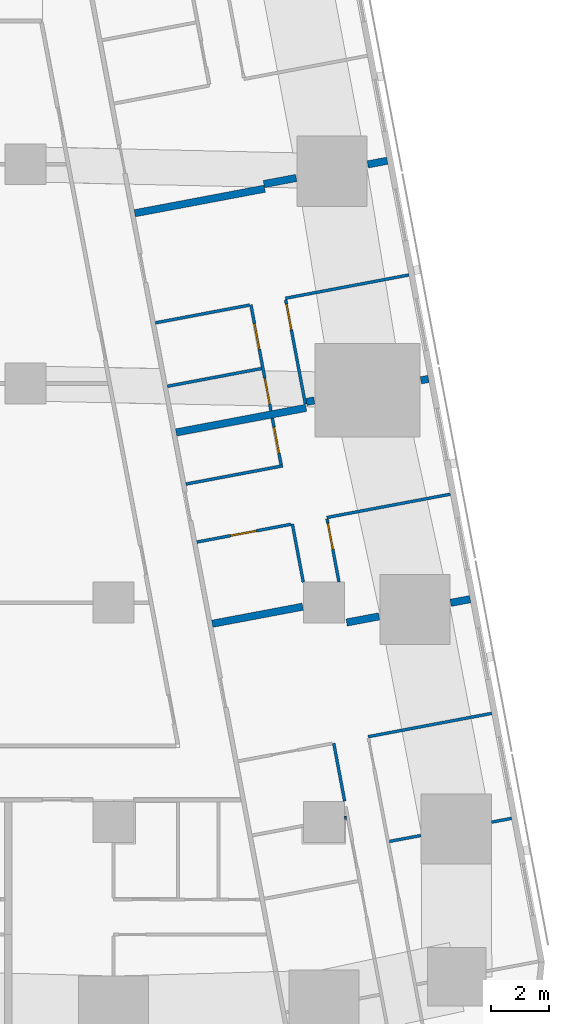
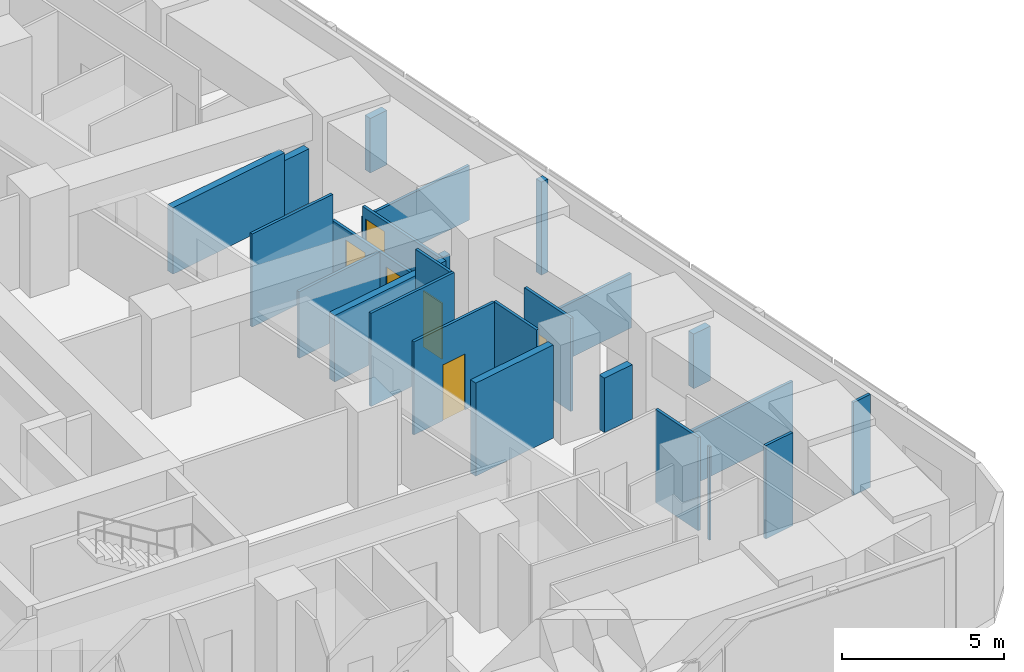
# One storey, part 14 of 19: 25 walls, 6 doors, 6 openings.
"""IFC4 building model written with IfcOpenShell, lengths in metres."""

from ifc_helpers import new_model, si_unit, direction, frame, frame_2d, origin, place, context, subcontext, project, spatial, rectangle, extrude, material, layer, layer_set, type_object, element, fill, save


model = new_model("IFC4")

# Units and contexts
model_context = context("Model", 3, precision=1e-05, world=origin(), true_north=direction((0.0, 1.0)))
body_context = subcontext(model_context, "Body", "Model", "MODEL_VIEW")
ifc_project = project(units=[si_unit("LENGTHUNIT", "METRE"), si_unit("AREAUNIT", "SQUARE_METRE"), si_unit("VOLUMEUNIT", "CUBIC_METRE"), si_unit("PLANEANGLEUNIT", "RADIAN"), si_unit("MASSUNIT", "GRAM", prefix="KILO")], contexts=[model_context])

# Site, building, storey
site_placement = place(None, origin())
site = spatial("IfcSite", under=ifc_project, at=site_placement, CompositionType="ELEMENT")
building_placement = place(site_placement, origin())
building = spatial("IfcBuilding", under=site, at=building_placement, Name="Sheger Commons Tower", CompositionType="ELEMENT")
storey_placement = place(building_placement, frame((0.0, 0.0, 219.949951171875)))
storey = spatial("IfcBuildingStorey", under=building, at=storey_placement, Name="L56", CompositionType="ELEMENT", Elevation=219.949951171875)

# Walls
ifc_material_1 = material(Name="Dense concrete block masonry, plastered both sides (separating wall between flats)", Category="masonry")
ifc_layer_1 = layer(ifc_material_1, 0.25)
ifc_layer_set_1 = layer_set([ifc_layer_1], Name="DEMISING WALL 250")
wall_type_1 = type_object("IfcWallType", Name="DEMISING WALL 250", PredefinedType="SOLIDWALL", material=ifc_layer_set_1)
wall_1_placement = place(storey_placement, frame((45.3720703125, 30.12109375, 0.0), z_axis=(0.0, 0.0, 1.0), x_axis=(-0.982347993061, -0.187062611252, 0.0)))
element("IfcWall", 1, at=wall_1_placement, inside=storey, type_object=wall_type_1, Name="Demising wall L56", PredefinedType="SOLIDWALL", context=body_context, shape_type="SweptSolid", body=[
    extrude(rectangle(XDim=0.679931640625, YDim=0.25, at=frame_2d((0.33984375, 0.0))), origin(), (0.0, 0.0, 1.0), 2.050048828125),
])
wall_2_placement = place(storey_placement, frame((42.256103515625, 29.531982421875, 0.0), z_axis=(0.0, 0.0, 1.0), x_axis=(-0.982549954272, -0.185998890749, 0.0)))
element("IfcWall", 2, at=wall_2_placement, inside=storey, type_object=wall_type_1, Name="Demising wall L56", PredefinedType="SOLIDWALL", context=body_context, shape_type="SweptSolid", body=[
    extrude(rectangle(XDim=1.12890625, YDim=0.25, at=frame_2d((0.564453125, 0.0))), origin(), (0.0, 0.0, 1.0), 2.050048828125),
])
wall_3_placement = place(storey_placement, frame((41.177001953125, 29.1640625, 0.0), z_axis=(0.0, 0.0, 1.0), x_axis=(-0.982612837616, -0.185666398014, 0.0)))
element("IfcWall", 3, at=wall_3_placement, inside=storey, type_object=wall_type_1, Name="Demising wall L56", PredefinedType="SOLIDWALL", context=body_context, shape_type="SweptSolid", body=[
    extrude(rectangle(XDim=4.524658203125, YDim=0.25, at=frame_2d((2.26220703125, 0.0))), origin(), (0.0, 0.0, 1.0), 2.5),
])
wall_4_placement = place(storey_placement, frame((46.781982421875, 22.656982421875, 0.0), z_axis=(0.0, 0.0, 1.0), x_axis=(-0.982778390997, -0.18478807913, 0.0)))
element("IfcWall", 4, at=wall_4_placement, inside=storey, type_object=wall_type_1, Name="Demising wall L56", PredefinedType="SOLIDWALL", context=body_context, shape_type="SweptSolid", body=[
    extrude(rectangle(XDim=0.265625, YDim=0.25, at=frame_2d((0.1328125, 0.0))), origin(), (0.0, 0.0, 1.0), 3.5),
])
wall_5_placement = place(storey_placement, frame((42.873046875, 21.91796875, 0.0), z_axis=(0.0, 0.0, 1.0), x_axis=(-0.982892522967, -0.184180043152, 0.0)))
element("IfcWall", 5, at=wall_5_placement, inside=storey, type_object=wall_type_1, Name="Demising wall L56", PredefinedType="SOLIDWALL", context=body_context, shape_type="SweptSolid", body=[
    extrude(rectangle(XDim=0.271728515625, YDim=0.25, at=frame_2d((0.1357421875, 0.0))), origin(), (0.0, 0.0, 1.0), 2.5),
])
wall_6_placement = place(storey_placement, frame((42.593017578125, 21.6650390625, 0.0), z_axis=(0.0, 0.0, 1.0), x_axis=(-0.982612837616, -0.185666398014, 0.0)))
element("IfcWall", 6, at=wall_6_placement, inside=storey, type_object=wall_type_1, Name="Demising wall L56", PredefinedType="SOLIDWALL", context=body_context, shape_type="SweptSolid", body=[
    extrude(rectangle(XDim=4.524658203125, YDim=0.25, at=frame_2d((2.26220703125, 0.0))), origin(), (0.0, 0.0, 1.0), 2.5),
])
wall_7_placement = place(storey_placement, frame((48.2060546875, 15.1201171875, 0.0), z_axis=(0.0, 0.0, 1.0), x_axis=(-0.982610999048, -0.18567612811, 0.0)))
element("IfcWall", 7, at=wall_7_placement, inside=storey, type_object=wall_type_1, Name="Demising wall L56", PredefinedType="SOLIDWALL", context=body_context, shape_type="SweptSolid", body=[
    extrude(rectangle(XDim=0.6796875, YDim=0.25, at=frame_2d((0.33984375, 0.0))), origin(), (0.0, 0.0, 1.0), 2.050048828125),
])
wall_8_placement = place(storey_placement, frame((45.090087890625, 14.531005859375, 0.0), z_axis=(0.0, 0.0, 1.0), x_axis=(-0.982737354171, -0.185006196431, 0.0)))
element("IfcWall", 8, at=wall_8_placement, inside=storey, type_object=wall_type_1, Name="Demising wall L56", PredefinedType="SOLIDWALL", context=body_context, shape_type="SweptSolid", body=[
    extrude(rectangle(XDim=1.129638671875, YDim=0.25, at=frame_2d((0.56494140625, 0.0))), origin(), (0.0, 0.0, 1.0), 2.050048828125),
])
wall_9_placement = place(storey_placement, frame((42.47607421875, 14.863037109375, 0.0), z_axis=(0.0, 0.0, 1.0), x_axis=(-0.982638716117, -0.185529387398, 0.0)))
element("IfcWall", 9, at=wall_9_placement, inside=storey, type_object=wall_type_1, Name="Demising wall L56", PredefinedType="SOLIDWALL", context=body_context, shape_type="SweptSolid", body=[
    extrude(rectangle(XDim=3.147705078125, YDim=0.25, at=frame_2d((1.57373046875, 0.0))), origin(), (0.0, 0.0, 1.0), 3.5),
])

# Wall, opening, door
ifc_material_2 = material(Name="Gypsum board on steel studs", Category="steel")
ifc_layer_2 = layer(ifc_material_2, 0.10009765625)
ifc_layer_set_2 = layer_set([ifc_layer_2], Name="PARTITION 100")
wall_type_2 = type_object("IfcWallType", Name="PARTITION 100", PredefinedType="PARTITIONING", material=ifc_layer_set_2)
wall_10_placement = place(storey_placement, frame((41.89404296875, 25.365966796875, 0.0), z_axis=(0.0, 0.0, 1.0), x_axis=(0.185695396387, -0.98260735788, 0.0)))
wall_10 = element("IfcWall", 10, at=wall_10_placement, inside=storey, type_object=wall_type_2, Name="Partition L56", PredefinedType="PARTITIONING", context=body_context, shape_type="SweptSolid", body=[
    extrude(rectangle(XDim=3.63525390625, YDim=0.10009765625, at=frame_2d((1.817626953125, 0.0))), origin(), (0.0, 0.0, 1.0), 2.5),
])
opening_1_placement = place(wall_10_placement, frame((0.15087890625, 0.0, 0.0)))
opening_1 = element("IfcOpeningElement", 11, at=opening_1_placement, cuts=wall_10, Name="Opening D2", PredefinedType="OPENING", context=body_context, shape_type="SweptSolid", body=[
    extrude(rectangle(XDim=0.89990234375, YDim=2.10009765625, at=frame_2d((0.449951171875, 1.050048828125))), frame((0.0, 0.06005859375, 0.0), z_axis=(0.0, -1.0, 0.0), x_axis=(1.0, 0.0, 0.0)), (0.0, 0.0, 1.0), 0.1201171875),
])
ifc_material_3 = material(Name="Timber door set", Category="wood")
door_type = type_object("IfcDoorType", Name="INTERNAL DOOR 900x2100", OperationType="NOTDEFINED", PredefinedType="DOOR", material=ifc_material_3)
door_1_placement = place(opening_1_placement, origin())
door_1 = element("IfcDoor", 12, at=door_1_placement, inside=storey, type_object=door_type, Name="Main bedroom door", OperationType="SINGLE_SWING_LEFT", OverallHeight=2.10009765625, OverallWidth=0.89990234375, PredefinedType="DOOR", context=body_context, shape_type="SweptSolid", body=[
    extrude(rectangle(XDim=0.89990234375, YDim=2.10009765625, at=frame_2d((0.449951171875, 1.050048828125))), frame((0.0, 0.02490234375, 0.0), z_axis=(0.0, -1.0, 0.0), x_axis=(1.0, 0.0, 0.0)), (0.0, 0.0, 1.0), 0.050048828125),
])
fill(opening_1, door_1)

# Wall, openings, doors
wall_11_placement = place(storey_placement, frame((40.7060546875, 25.19189453125, 0.0), z_axis=(0.0, 0.0, 1.0), x_axis=(0.185580474845, -0.982629069057, 0.0)))
wall_11 = element("IfcWall", 13, at=wall_11_placement, inside=storey, type_object=wall_type_2, Name="Partition L56", PredefinedType="PARTITIONING", context=body_context, shape_type="SweptSolid", body=[
    extrude(rectangle(XDim=3.684814453125, YDim=0.10009765625, at=frame_2d((1.84228515625, 0.0))), origin(), (0.0, 0.0, 1.0), 2.5),
])
opening_2_placement = place(wall_11_placement, frame((0.655029296875, 0.0, 0.0)))
opening_2 = element("IfcOpeningElement", 14, at=opening_2_placement, cuts=wall_11, Name="Opening D2", PredefinedType="OPENING", context=body_context, shape_type="SweptSolid", body=[
    extrude(rectangle(XDim=0.89990234375, YDim=2.10009765625, at=frame_2d((0.449951171875, 1.050048828125))), frame((0.0, 0.06005859375, 0.0), z_axis=(0.0, -1.0, 0.0), x_axis=(1.0, 0.0, 0.0)), (0.0, 0.0, 1.0), 0.1201171875),
])
opening_3_placement = place(wall_11_placement, frame((2.56298828125, 0.0, 0.0)))
opening_3 = element("IfcOpeningElement", 15, at=opening_3_placement, cuts=wall_11, Name="Opening D2", PredefinedType="OPENING", context=body_context, shape_type="SweptSolid", body=[
    extrude(rectangle(XDim=0.89990234375, YDim=2.10009765625, at=frame_2d((0.449951171875, 1.050048828125))), frame((0.0, 0.06005859375, 0.0), z_axis=(0.0, -1.0, 0.0), x_axis=(1.0, 0.0, 0.0)), (0.0, 0.0, 1.0), 0.1201171875),
])
door_2_placement = place(opening_2_placement, origin())
door_2 = element("IfcDoor", 16, at=door_2_placement, inside=storey, type_object=door_type, Name="Bathroom door", OperationType="SINGLE_SWING_RIGHT", OverallHeight=2.10009765625, OverallWidth=0.89990234375, PredefinedType="DOOR", context=body_context, shape_type="SweptSolid", body=[
    extrude(rectangle(XDim=0.89990234375, YDim=2.10009765625, at=frame_2d((0.449951171875, 1.050048828125))), frame((0.0, 0.02490234375, 0.0), z_axis=(0.0, -1.0, 0.0), x_axis=(1.0, 0.0, 0.0)), (0.0, 0.0, 1.0), 0.050048828125),
])
fill(opening_2, door_2)
door_3_placement = place(opening_3_placement, origin())
door_3 = element("IfcDoor", 17, at=door_3_placement, inside=storey, type_object=door_type, Name="Store door", OperationType="SINGLE_SWING_LEFT", OverallHeight=2.10009765625, OverallWidth=0.89990234375, PredefinedType="DOOR", context=body_context, shape_type="SweptSolid", body=[
    extrude(rectangle(XDim=0.89990234375, YDim=2.10009765625, at=frame_2d((0.449951171875, 1.050048828125))), frame((0.0, 0.02490234375, 0.0), z_axis=(0.0, -1.0, 0.0), x_axis=(1.0, 0.0, 0.0)), (0.0, 0.0, 1.0), 0.050048828125),
])
fill(opening_3, door_3)

# Walls
wall_12_placement = place(storey_placement, frame((46.110107421875, 26.212890625, 0.0), z_axis=(0.0, 0.0, 1.0), x_axis=(-0.982633535512, -0.185556823879, 0.0)))
element("IfcWall", 18, at=wall_12_placement, inside=storey, type_object=wall_type_2, Name="Partition L56", PredefinedType="PARTITIONING", context=body_context, shape_type="SweptSolid", body=[
    extrude(rectangle(XDim=4.2998046875, YDim=0.10009765625, at=frame_2d((2.14990234375, 0.0))), origin(), (0.0, 0.0, 1.0), 2.050048828125),
])
wall_13_placement = place(storey_placement, frame((40.656982421875, 25.18310546875, 0.0), z_axis=(0.0, 0.0, 1.0), x_axis=(-0.982607026909, -0.185697147715, 0.0)))
element("IfcWall", 19, at=wall_13_placement, inside=storey, type_object=wall_type_2, Name="Partition L56", PredefinedType="PARTITIONING", context=body_context, shape_type="SweptSolid", body=[
    extrude(rectangle(XDim=3.27490234375, YDim=0.10009765625, at=frame_2d((1.637451171875, 0.0))), origin(), (0.0, 0.0, 1.0), 3.5),
])
wall_14_placement = place(storey_placement, frame((41.06689453125, 23.010986328125, 0.0), z_axis=(0.0, 0.0, 1.0), x_axis=(-0.982618057925, -0.185638768151, 0.0)))
element("IfcWall", 20, at=wall_14_placement, inside=storey, type_object=wall_type_2, Name="Partition L56", PredefinedType="PARTITIONING", context=body_context, shape_type="SweptSolid", body=[
    extrude(rectangle(XDim=3.274658203125, YDim=0.10009765625, at=frame_2d((1.63720703125, 0.0))), origin(), (0.0, 0.0, 1.0), 2.5),
])

# Wall, opening, door
wall_15_placement = place(storey_placement, frame((41.43701171875, 21.319091796875, 0.0), z_axis=(0.0, 0.0, 1.0), x_axis=(0.185793689589, -0.982588777113, 0.0)))
wall_15 = element("IfcWall", 21, at=wall_15_placement, inside=storey, type_object=wall_type_2, Name="Partition L56", PredefinedType="PARTITIONING", context=body_context, shape_type="SweptSolid", body=[
    extrude(rectangle(XDim=1.62548828125, YDim=0.10009765625, at=frame_2d((0.812744140625, 0.0))), origin(), (0.0, 0.0, 1.0), 3.5),
])
opening_4_placement = place(wall_15_placement, frame((0.324951171875, 0.0, 0.0)))
opening_4 = element("IfcOpeningElement", 22, at=opening_4_placement, cuts=wall_15, Name="Opening D2", PredefinedType="OPENING", context=body_context, shape_type="SweptSolid", body=[
    extrude(rectangle(XDim=0.89990234375, YDim=2.10009765625, at=frame_2d((0.449951171875, 1.050048828125))), frame((0.0, 0.06005859375, 0.0), z_axis=(0.0, -1.0, 0.0), x_axis=(1.0, 0.0, 0.0)), (0.0, 0.0, 1.0), 0.1201171875),
])
door_4_placement = place(opening_4_placement, origin())
door_4 = element("IfcDoor", 23, at=door_4_placement, inside=storey, type_object=door_type, Name="Shower room door", OperationType="SINGLE_SWING_RIGHT", OverallHeight=2.10009765625, OverallWidth=0.89990234375, PredefinedType="DOOR", context=body_context, shape_type="SweptSolid", body=[
    extrude(rectangle(XDim=0.89990234375, YDim=2.10009765625, at=frame_2d((0.449951171875, 1.050048828125))), frame((0.0, 0.02490234375, 0.0), z_axis=(0.0, -1.0, 0.0), x_axis=(1.0, 0.0, 0.0)), (0.0, 0.0, 1.0), 0.050048828125),
])
fill(opening_4, door_4)

# Wall
wall_16_placement = place(storey_placement, frame((41.798095703125, 19.681884765625, 0.0), z_axis=(0.0, 0.0, 1.0), x_axis=(-0.982656183703, -0.185436848091, 0.0)))
element("IfcWall", 24, at=wall_16_placement, inside=storey, type_object=wall_type_2, Name="Partition L56", PredefinedType="PARTITIONING", context=body_context, shape_type="SweptSolid", body=[
    extrude(rectangle(XDim=3.375732421875, YDim=0.10009765625, at=frame_2d((1.68798828125, 0.0))), origin(), (0.0, 0.0, 1.0), 3.5),
])

# Wall, opening, door
wall_17_placement = place(storey_placement, frame((43.31103515625, 17.864990234375, 0.0), z_axis=(0.0, 0.0, 1.0), x_axis=(0.185572140257, -0.982630643101, 0.0)))
wall_17 = element("IfcWall", 25, at=wall_17_placement, inside=storey, type_object=wall_type_2, Name="Partition L56", PredefinedType="PARTITIONING", context=body_context, shape_type="SweptSolid", body=[
    extrude(rectangle(XDim=2.193115234375, YDim=0.10009765625, at=frame_2d((1.0966796875, 0.0))), origin(), (0.0, 0.0, 1.0), 3.5),
])
opening_5_placement = place(wall_17_placement, frame((0.14990234375, 0.0, 0.0)))
opening_5 = element("IfcOpeningElement", 26, at=opening_5_placement, cuts=wall_17, Name="Opening D2", PredefinedType="OPENING", context=body_context, shape_type="SweptSolid", body=[
    extrude(rectangle(XDim=0.89990234375, YDim=2.10009765625, at=frame_2d((0.449951171875, 1.050048828125))), frame((0.0, 0.06005859375, 0.0), z_axis=(0.0, -1.0, 0.0), x_axis=(1.0, 0.0, 0.0)), (0.0, 0.0, 1.0), 0.1201171875),
])
door_5_placement = place(opening_5_placement, origin())
door_5 = element("IfcDoor", 27, at=door_5_placement, inside=storey, type_object=door_type, Name="Main bedroom door", OperationType="SINGLE_SWING_LEFT", OverallHeight=2.10009765625, OverallWidth=0.89990234375, PredefinedType="DOOR", context=body_context, shape_type="SweptSolid", body=[
    extrude(rectangle(XDim=0.89990234375, YDim=2.10009765625, at=frame_2d((0.449951171875, 1.050048828125))), frame((0.0, 0.02490234375, 0.0), z_axis=(0.0, -1.0, 0.0), x_axis=(1.0, 0.0, 0.0)), (0.0, 0.0, 1.0), 0.050048828125),
])
fill(opening_5, door_5)

# Walls
wall_18_placement = place(storey_placement, frame((42.123046875, 17.69091796875, 0.0), z_axis=(0.0, 0.0, 1.0), x_axis=(0.185183804812, -0.98270390171, 0.0)))
element("IfcWall", 28, at=wall_18_placement, inside=storey, type_object=wall_type_2, Name="Partition L56", PredefinedType="PARTITIONING", context=body_context, shape_type="SweptSolid", body=[
    extrude(rectangle(XDim=2.02490234375, YDim=0.10009765625, at=frame_2d((1.012451171875, 0.0))), origin(), (0.0, 0.0, 1.0), 3.5),
])
wall_19_placement = place(storey_placement, frame((47.527099609375, 18.7119140625, 0.0), z_axis=(0.0, 0.0, 1.0), x_axis=(-0.982633535512, -0.185556823879, 0.0)))
element("IfcWall", 29, at=wall_19_placement, inside=storey, type_object=wall_type_2, Name="Partition L56", PredefinedType="PARTITIONING", context=body_context, shape_type="SweptSolid", body=[
    extrude(rectangle(XDim=4.2998046875, YDim=0.10009765625, at=frame_2d((2.14990234375, 0.0))), origin(), (0.0, 0.0, 1.0), 2.050048828125),
])

# Wall, opening, door
wall_20_placement = place(storey_placement, frame((42.073974609375, 17.681884765625, 0.0), z_axis=(0.0, 0.0, 1.0), x_axis=(-0.982630897129, -0.185570795135, 0.0)))
wall_20 = element("IfcWall", 30, at=wall_20_placement, inside=storey, type_object=wall_type_2, Name="Partition L56", PredefinedType="PARTITIONING", context=body_context, shape_type="SweptSolid", body=[
    extrude(rectangle(XDim=3.27587890625, YDim=0.10009765625, at=frame_2d((1.637939453125, 0.0))), origin(), (0.0, 0.0, 1.0), 3.5),
])
opening_6_placement = place(wall_20_placement, frame((1.200927734375, 0.0, 0.0)))
opening_6 = element("IfcOpeningElement", 31, at=opening_6_placement, cuts=wall_20, Name="Opening D2", PredefinedType="OPENING", context=body_context, shape_type="SweptSolid", body=[
    extrude(rectangle(XDim=0.89990234375, YDim=2.10009765625, at=frame_2d((0.449951171875, 1.050048828125))), frame((0.0, 0.06005859375, 0.0), z_axis=(0.0, -1.0, 0.0), x_axis=(1.0, 0.0, 0.0)), (0.0, 0.0, 1.0), 0.1201171875),
])
door_6_placement = place(opening_6_placement, origin())
door_6 = element("IfcDoor", 32, at=door_6_placement, inside=storey, type_object=door_type, Name="Store door", OperationType="SINGLE_SWING_LEFT", OverallHeight=2.10009765625, OverallWidth=0.89990234375, PredefinedType="DOOR", context=body_context, shape_type="SweptSolid", body=[
    extrude(rectangle(XDim=0.89990234375, YDim=2.10009765625, at=frame_2d((0.449951171875, 1.050048828125))), frame((0.0, 0.02490234375, 0.0), z_axis=(0.0, -1.0, 0.0), x_axis=(1.0, 0.0, 0.0)), (0.0, 0.0, 1.0), 0.050048828125),
])
fill(opening_6, door_6)

# Walls
wall_21_placement = place(storey_placement, frame((43.5390625, 10.19189453125, 0.0), z_axis=(0.0, 0.0, 1.0), x_axis=(0.185443145218, -0.982654995353, 0.0)))
element("IfcWall", 33, at=wall_21_placement, inside=storey, type_object=wall_type_2, Name="Partition L56", PredefinedType="PARTITIONING", context=body_context, shape_type="SweptSolid", body=[
    extrude(rectangle(XDim=2.016845703125, YDim=0.10009765625, at=frame_2d((1.00830078125, 0.0))), origin(), (0.0, 0.0, 1.0), 3.5),
])
wall_22_placement = place(storey_placement, frame((48.943115234375, 11.212890625, 0.0), z_axis=(0.0, 0.0, 1.0), x_axis=(-0.982633535512, -0.185556823879, 0.0)))
element("IfcWall", 34, at=wall_22_placement, inside=storey, type_object=wall_type_2, Name="Partition L56", PredefinedType="PARTITIONING", context=body_context, shape_type="SweptSolid", body=[
    extrude(rectangle(XDim=4.2998046875, YDim=0.10009765625, at=frame_2d((2.14990234375, 0.0))), origin(), (0.0, 0.0, 1.0), 2.050048828125),
])
wall_23_placement = place(storey_placement, frame((49.6220703125, 7.6201171875, 0.0), z_axis=(0.0, 0.0, 1.0), x_axis=(-0.98254419619, -0.186029305578, 0.0)))
element("IfcWall", 35, at=wall_23_placement, inside=storey, type_object=wall_type_2, Name="Partition L56", PredefinedType="PARTITIONING", context=body_context, shape_type="SweptSolid", body=[
    extrude(rectangle(XDim=0.6943359375, YDim=0.10009765625, at=frame_2d((0.34716796875, 0.0))), origin(), (0.0, 0.0, 1.0), 3.5),
])
wall_24_placement = place(storey_placement, frame((46.52001953125, 7.034912109375, 0.0), z_axis=(0.0, 0.0, 1.0), x_axis=(-0.982620932907, -0.185623549726, 0.0)))
element("IfcWall", 36, at=wall_24_placement, inside=storey, type_object=wall_type_2, Name="Partition L56", PredefinedType="PARTITIONING", context=body_context, shape_type="SweptSolid", body=[
    extrude(rectangle(XDim=1.093017578125, YDim=0.10009765625, at=frame_2d((0.54638671875, 0.0))), origin(), (0.0, 0.0, 1.0), 3.5),
])
wall_25_placement = place(storey_placement, frame((43.968994140625, 7.64599609375, 0.0), z_axis=(0.0, 0.0, 1.0), x_axis=(-0.983147034646, -0.182816597351, 0.0)))
element("IfcWall", 37, at=wall_25_placement, inside=storey, type_object=wall_type_2, Name="Partition L56", PredefinedType="PARTITIONING", context=body_context, shape_type="SweptSolid", body=[
    extrude(rectangle(XDim=0.06005859375, YDim=0.10009765625, at=frame_2d((0.030029296875, 0.0))), origin(), (0.0, 0.0, 1.0), 3.5),
])

save(model, "model.ifc")
